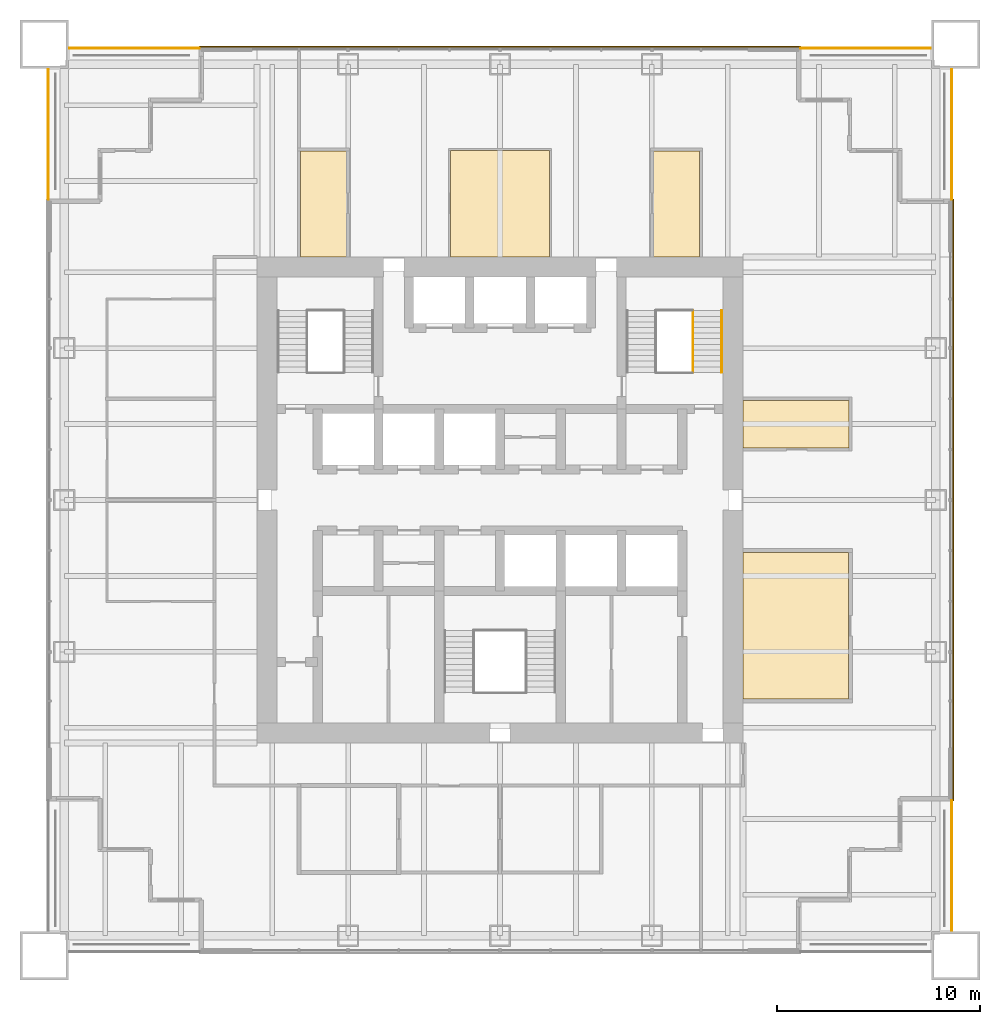
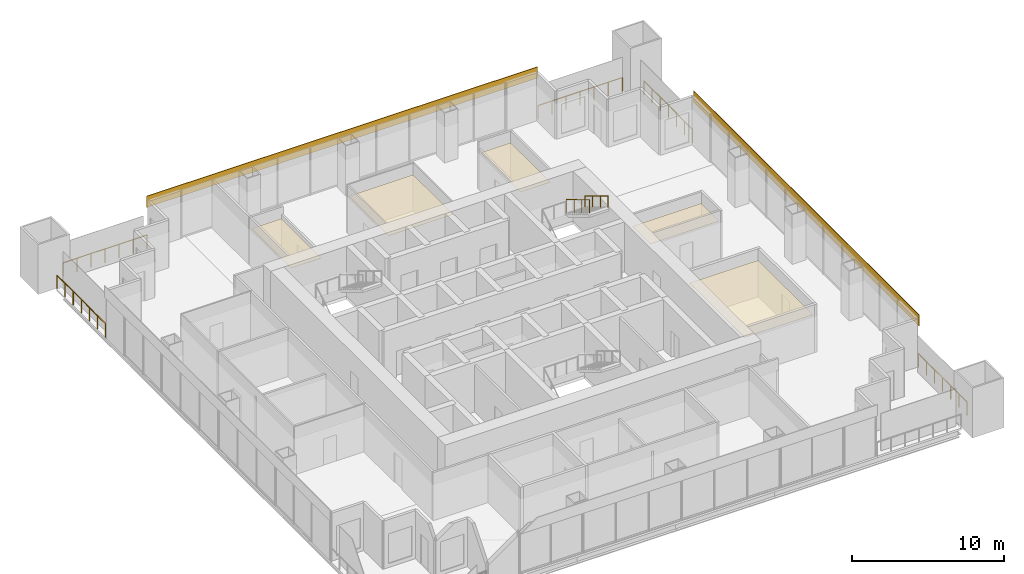
# One storey, part 13 of 13: 7 coverings, 7 railings.
"""IFC4 building model written with IfcOpenShell, lengths in metres."""

import ifcopenshell
import ifcopenshell.guid

model = None  # the IFC model being written
_history = None  # IfcOwnerHistory: only IFC2X3 demands one
_inside = {}  # id of a spatial element -> (the spatial element, [elements in it])
_under = {}  # id of a project, library or spatial element -> (it, [spatial elements below it])
_declared = {}  # id of a project -> (the project, [libraries it declares])
_typed = {}  # id of a type object -> (the type object, [elements of that type])
_made_of = {}  # id of a material, layer set ... -> (it, [elements and type objects made of it])


def new_model(schema):
    """Start an empty IFC model of exactly this schema.

    Asked for "IFC4X3", IfcOpenShell would pick the latest addendum, in which some entities
    have other attributes; the version numbers below select the first issue.
    IFC2X3 requires an IfcOwnerHistory on every rooted entity: one is made here for all.
    """
    global model, _history
    if schema == "IFC4X3":
        model = ifcopenshell.file(schema_version=(4, 3, 0, 0))
    else:
        model = ifcopenshell.file(schema=schema)
    _inside.clear()
    _under.clear()
    _declared.clear()
    _typed.clear()
    _made_of.clear()
    _history = None
    if model.schema == "IFC2X3":
        org = make("IfcOrganization", Name="unknown")
        user = make(
            "IfcPersonAndOrganization",
            ThePerson=make("IfcPerson", FamilyName="unknown"),
            TheOrganization=org,
        )
        app = make(
            "IfcApplication",
            ApplicationDeveloper=org,
            Version="unknown",
            ApplicationFullName="unknown",
            ApplicationIdentifier="unknown",
        )
        _history = make(
            "IfcOwnerHistory",
            OwningUser=user,
            OwningApplication=app,
            ChangeAction="ADDED",
            CreationDate=0,
        )
    return model


def make(cls, **values):
    """One entity of the class cls with the attributes given. An attribute that is None is left unset."""
    return model.create_entity(
        cls, **{name: value for name, value in values.items() if value is not None}
    )


def rooted(cls, **values):
    """An entity with a GlobalId (a new one), such as an element, a storey or a relation."""
    return make(cls, GlobalId=ifcopenshell.guid.new(), OwnerHistory=_history, **values)


def si_unit(unit_type, name, prefix=None):
    """IfcSIUnit, for example si_unit("LENGTHUNIT", "METRE", prefix="MILLI")."""
    return make("IfcSIUnit", UnitType=unit_type, Prefix=prefix, Name=name)


def assignment(units):
    """IfcUnitAssignment: the units of a project."""
    return None if units is None else make("IfcUnitAssignment", Units=units)


def point(xyz):
    """IfcCartesianPoint."""
    return None if xyz is None else make("IfcCartesianPoint", Coordinates=xyz)


def direction(xyz):
    """IfcDirection."""
    return None if xyz is None else make("IfcDirection", DirectionRatios=xyz)


def frame(location, z_axis=None, x_axis=None):
    """IfcAxis2Placement3D, a coordinate frame: its origin and axes. An axis left out is left unset."""
    return make(
        "IfcAxis2Placement3D",
        Location=point(location),
        Axis=direction(z_axis),
        RefDirection=direction(x_axis),
    )


def frame_2d(location, x_axis=None):
    """IfcAxis2Placement2D, a coordinate frame in the plane: its origin and x axis."""
    return make(
        "IfcAxis2Placement2D", Location=point(location), RefDirection=direction(x_axis)
    )


def origin():
    """The frame at (0, 0, 0) with its axes left unset."""
    return frame((0.0, 0.0, 0.0))


def origin_2d():
    """The frame at (0, 0) in the plane with its x axis left unset."""
    return frame_2d((0.0, 0.0))


def place(relative_to, where):
    """IfcLocalPlacement: puts the frame where relative to a parent placement (None: the world)."""
    return make(
        "IfcLocalPlacement", PlacementRelTo=relative_to, RelativePlacement=where
    )


def context(
    kind, dimensions, precision=None, world=None, true_north=None, identifier=None
):
    """IfcGeometricRepresentationContext, for example the 3D "Model" context."""
    return make(
        "IfcGeometricRepresentationContext",
        ContextIdentifier=identifier,
        ContextType=kind,
        CoordinateSpaceDimension=dimensions,
        Precision=precision,
        WorldCoordinateSystem=world,
        TrueNorth=true_north,
    )


def subcontext(parent, identifier, kind, view, scale=None):
    """IfcGeometricRepresentationSubContext, for example "Body" below "Model"."""
    return make(
        "IfcGeometricRepresentationSubContext",
        ContextIdentifier=identifier,
        ContextType=kind,
        ParentContext=parent,
        TargetScale=scale,
        TargetView=view,
    )


def project(units=None, contexts=None):
    """IfcProject with its units and contexts."""
    return rooted(
        "IfcProject",
        Name="project",
        RepresentationContexts=contexts,
        UnitsInContext=assignment(units),
    )


def spatial(cls, under=None, at=None, **own):
    """A site, building, storey or space (cls), placed at a placement, below another one or the project."""
    s = rooted(cls, ObjectPlacement=at, **own)
    if under is not None:
        _under.setdefault(under.id(), (under, []))[1].append(s)
    return s


def polyline(points):
    """IfcPolyline through the points."""
    return make("IfcPolyline", Points=[point(p) for p in points])


def profile(cls, at=None, kind="AREA", **sizes):
    """A parametric profile (cls). Its sizes go by their IFC names, for example OverallWidth=200.0."""
    return make(cls, ProfileType=kind, Position=at, **sizes)


def rectangle(**sizes):
    """IfcRectangleProfileDef."""
    return profile("IfcRectangleProfileDef", **sizes)


def circle(**sizes):
    """IfcCircleProfileDef."""
    return profile("IfcCircleProfileDef", **sizes)


def outline(outer, holes=None, kind="AREA"):
    """IfcArbitraryClosedProfileDef: a profile drawn as a closed curve; with holes, ...WithVoids."""
    if holes is None:
        return make("IfcArbitraryClosedProfileDef", ProfileType=kind, OuterCurve=outer)
    return make(
        "IfcArbitraryProfileDefWithVoids",
        ProfileType=kind,
        OuterCurve=outer,
        InnerCurves=holes,
    )


def extrude(swept, where, along, depth):
    """IfcExtrudedAreaSolid: the profile swept, set in the frame where, extruded along a direction by depth."""
    return make(
        "IfcExtrudedAreaSolid",
        SweptArea=swept,
        Position=where,
        ExtrudedDirection=direction(along),
        Depth=depth,
    )


def shape(context_of_items, identifier, shape_type, items):
    """IfcShapeRepresentation: the items that make up one representation, for example the "Body"."""
    return make(
        "IfcShapeRepresentation",
        ContextOfItems=context_of_items,
        RepresentationIdentifier=identifier,
        RepresentationType=shape_type,
        Items=items,
    )


def material(Name=None, Category=None):
    """IfcMaterial."""
    return make("IfcMaterial", Name=Name, Category=Category)


def layer(
    of_material, thickness, ventilated=None, Name=None, Category=None, Priority=None
):
    """IfcMaterialLayer: one layer of a wall or slab, of a material (None: an air gap)."""
    return make(
        "IfcMaterialLayer",
        Material=of_material,
        LayerThickness=thickness,
        IsVentilated=ventilated,
        Name=Name,
        Category=Category,
        Priority=Priority,
    )


def layer_set(layers, Name=None):
    """IfcMaterialLayerSet."""
    return make("IfcMaterialLayerSet", MaterialLayers=layers, LayerSetName=Name)


def made_of(thing, what):
    """Note that an element or type object is made of a material, layer set ...; save() writes the relation."""
    if what is not None:
        _made_of.setdefault(what.id(), (what, []))[1].append(thing)
    return thing


def type_object(cls, material=None, **own):
    """A type object (cls), such as IfcWallType, which elements share."""
    return made_of(rooted(cls, **own), material)


def element(
    cls,
    number,
    at=None,
    inside=None,
    cuts=None,
    type_object=None,
    material=None,
    context=None,
    identifier="Body",
    shape_type=None,
    held_by="IfcProductDefinitionShape",
    body=None,
    shapes=None,
    **own,
):
    """One element of the class cls, such as IfcWall. Its Tag is "e" and its number.

    at: its placement. inside: the storey or other place that contains it. cuts: it is an
    opening in that element (IfcRelVoidsElement). A single representation is given by context,
    identifier, shape_type and body (its items); several are given by shapes. held_by: the class
    of the entity that holds the representations. save() writes the other relations.
    """
    e = rooted(cls, Tag="e%d" % number, ObjectPlacement=at, **own)
    if body is not None:
        shapes = [shape(context, identifier, shape_type, body)]
    if shapes is not None:
        e.Representation = make(held_by, Representations=shapes)
    if inside is not None:
        _inside.setdefault(inside.id(), (inside, []))[1].append(e)
    if cuts is not None:
        rooted(
            "IfcRelVoidsElement", RelatingBuildingElement=cuts, RelatedOpeningElement=e
        )
    if type_object is not None:
        _typed.setdefault(type_object.id(), (type_object, []))[1].append(e)
    return made_of(e, material)


def aggregate(whole, parts):
    """IfcRelAggregates: a whole, such as a stair, and the parts it consists of."""
    return rooted("IfcRelAggregates", RelatingObject=whole, RelatedObjects=parts)


def save(model, path):
    """Write the relations noted so far, then the file.

    IfcRelAggregates (storeys below a building ...), IfcRelContainedInSpatialStructure (elements
    in a storey), IfcRelDefinesByType, IfcRelAssociatesMaterial and IfcRelDeclares: one each for
    every whole, place, type object, material and project.
    """
    for whole, parts in _under.values():
        aggregate(whole, parts)
    for where, things in _inside.values():
        rooted(
            "IfcRelContainedInSpatialStructure",
            RelatedElements=things,
            RelatingStructure=where,
        )
    for kind, things in _typed.values():
        rooted("IfcRelDefinesByType", RelatedObjects=things, RelatingType=kind)
    for what, things in _made_of.values():
        rooted("IfcRelAssociatesMaterial", RelatedObjects=things, RelatingMaterial=what)
    for by, libraries in _declared.values():
        rooted("IfcRelDeclares", RelatingContext=by, RelatedDefinitions=libraries)
    model.write(path)


model = new_model("IFC4")

# Units and contexts
model_context = context("Model", 3, precision=1e-05, world=origin(), true_north=direction((0.0, 1.0)))
body_context = subcontext(model_context, "Body", "Model", "MODEL_VIEW")
ifc_project = project(units=[si_unit("LENGTHUNIT", "METRE"), si_unit("AREAUNIT", "SQUARE_METRE"), si_unit("VOLUMEUNIT", "CUBIC_METRE"), si_unit("PLANEANGLEUNIT", "RADIAN"), si_unit("MASSUNIT", "GRAM", prefix="KILO")], contexts=[model_context])

# Site, building, storey
site_placement = place(None, origin())
site = spatial("IfcSite", under=ifc_project, at=site_placement, CompositionType="ELEMENT")
building_placement = place(site_placement, origin())
building = spatial("IfcBuilding", under=site, at=building_placement, Name="Tarangal Relay Tower", CompositionType="ELEMENT")
storey_placement = place(building_placement, frame((0.0, 0.0, 245.89990234375)))
storey = spatial("IfcBuildingStorey", under=building, at=storey_placement, Name="L53", CompositionType="ELEMENT", Elevation=245.89990234375)

# Coverings
ifc_material_1 = material(Name="Black anodised aluminium cladding", Category="aluminium")
ifc_layer_1 = layer(ifc_material_1, 0.050048828125)
ifc_layer_set_1 = layer_set([ifc_layer_1], Name="Black metal spandrel band")
covering_type_1 = type_object("IfcCoveringType", Name="Black metal spandrel band", PredefinedType="CLADDING", material=ifc_layer_set_1)
for number, where, z_axis, x_axis, name in (
    (1, (0.0, 22.375, 3.250244140625), (0.0, 0.0, 1.0), (1.0, 0.0, 0.0), "Spandrel band SB1 N L53"),
    (2, (22.375, 0.0, 3.250244140625), (0.0, 0.0, 1.0), (0.0, -1.0, 0.0), "Spandrel band SB1 E L53"),
):
    element("IfcCovering", number, at=place(storey_placement, frame(where, z_axis=z_axis, x_axis=x_axis)), inside=storey, type_object=covering_type_1, Name=name, PredefinedType="CLADDING", context=body_context, shape_type="SweptSolid", body=[
        extrude(rectangle(XDim=29.699951171875, YDim=0.050048828125, at=origin_2d()), origin(), (0.0, 0.0, 1.0), 0.89990234375),
    ])

# Railings
ifc_material_2 = material(Name="Steel guard, black finish", Category="steel")
railing_type_1 = type_object("IfcRailingType", Name="Stair guard 1100", PredefinedType="GUARDRAIL", material=ifc_material_2)
railing_1_placement = place(storey_placement, frame((9.530029296875, 9.346923828125, 2.166748046875)))
element("IfcRailing", 3, at=railing_1_placement, inside=storey, type_object=railing_type_1, Name="Stair ST-B guard GR1 L53 flight 2", PredefinedType="GUARDRAIL", context=body_context, shape_type="SweptSolid", body=[
    extrude(circle(Radius=0.02392578125, at=origin_2d()), frame((0.0, 0.0, 1.076171875), z_axis=(0.0, -0.85685617095, 0.515555527858), x_axis=(1.0, 0.0, 0.0)), (0.0, 0.0, 1.0), 3.555908203125),
    extrude(circle(Radius=0.02099609375, at=origin_2d()), origin(), (0.0, 0.0, 1.0), 1.052001953125),
    extrude(circle(Radius=0.02099609375, at=origin_2d()), frame((0.0, -1.015625, 0.611083984375)), (0.0, 0.0, 1.0), 1.052001953125),
    extrude(circle(Radius=0.02099609375, at=origin_2d()), frame((0.0, -2.03125, 1.22216796875)), (0.0, 0.0, 1.0), 1.052001953125),
    extrude(circle(Radius=0.02099609375, at=origin_2d()), frame((0.0, -3.046875, 1.833251953125)), (0.0, 0.0, 1.0), 1.052001953125),
])
ifc_material_3 = material(Name="Steel handrail, black finish", Category="steel")
railing_type_2 = type_object("IfcRailingType", Name="Stair handrail 900", PredefinedType="HANDRAIL", material=ifc_material_3)
railing_2_placement = place(storey_placement, frame((10.93994140625, 9.346923828125, 2.166748046875)))
element("IfcRailing", 4, at=railing_2_placement, inside=storey, type_object=railing_type_2, Name="Stair ST-B handrail HR1 L53 flight 2", PredefinedType="HANDRAIL", context=body_context, shape_type="SweptSolid", body=[
    extrude(circle(Radius=0.02392578125, at=origin_2d()), frame((0.0, 0.0, 0.8759765625), z_axis=(0.0, -0.85685617095, 0.515555527858), x_axis=(1.0, 0.0, 0.0)), (0.0, 0.0, 1.0), 3.555908203125),
    extrude(circle(Radius=0.02099609375, at=origin_2d()), origin(), (0.0, 0.0, 1.0), 0.851806640625),
    extrude(circle(Radius=0.02099609375, at=origin_2d()), frame((0.0, -1.015625, 0.611083984375)), (0.0, 0.0, 1.0), 0.851806640625),
    extrude(circle(Radius=0.02099609375, at=origin_2d()), frame((0.0, -2.03125, 1.22216796875)), (0.0, 0.0, 1.0), 0.851806640625),
    extrude(circle(Radius=0.02099609375, at=origin_2d()), frame((0.0, -3.046875, 1.833251953125)), (0.0, 0.0, 1.0), 0.851806640625),
])

# Coverings
ifc_material_4 = material(Name="Mineral fibre ceiling tiles", Category="gypsum")
ifc_layer_2 = layer(ifc_material_4, 0.02001953125)
ifc_layer_set_2 = layer_set([ifc_layer_2], Name="Suspended ceiling")
covering_type_2 = type_object("IfcCoveringType", Name="Suspended ceiling", PredefinedType="CEILING", material=ifc_layer_set_2)
covering_1_placement = place(storey_placement, frame((0.0, 0.0, 2.900146484375)))
element("IfcCovering", 5, at=covering_1_placement, inside=storey, type_object=covering_type_2, Name="Suspended ceiling CL1 L53-02", PredefinedType="CEILING", context=body_context, shape_type="SweptSolid", body=[
    extrude(outline(polyline([(-7.574951171875, 12.0), (-7.574951171875, 17.22509765625), (-9.842041015625, 17.22509765625), (-9.842041015625, 12.0), (-7.574951171875, 12.0)])), origin(), (0.0, 0.0, 1.0), 0.02001953125),
])
covering_2_placement = place(storey_placement, frame((0.0, 0.0, 2.900146484375)))
element("IfcCovering", 6, at=covering_2_placement, inside=storey, type_object=covering_type_2, Name="Suspended ceiling CL1 L53-03", PredefinedType="CEILING", context=body_context, shape_type="SweptSolid", body=[
    extrude(outline(polyline([(2.449951171875, 12.0), (2.449951171875, 17.25), (-2.449951171875, 17.25), (-2.449951171875, 12.0), (2.449951171875, 12.0)])), origin(), (0.0, 0.0, 1.0), 0.02001953125),
])
covering_3_placement = place(storey_placement, frame((0.0, 0.0, 2.900146484375)))
element("IfcCovering", 7, at=covering_3_placement, inside=storey, type_object=covering_type_2, Name="Suspended ceiling CL1 L53-04", PredefinedType="CEILING", context=body_context, shape_type="SweptSolid", body=[
    extrude(outline(polyline([(9.842041015625, 12.0), (9.842041015625, 17.22509765625), (7.574951171875, 17.22509765625), (7.574951171875, 12.0), (9.842041015625, 12.0)])), origin(), (0.0, 0.0, 1.0), 0.02001953125),
])
covering_4_placement = place(storey_placement, frame((0.0, 0.0, 2.900146484375)))
element("IfcCovering", 8, at=covering_4_placement, inside=storey, type_object=covering_type_2, Name="Suspended ceiling CL1 L53-05", PredefinedType="CEILING", context=body_context, shape_type="SweptSolid", body=[
    extrude(outline(polyline([(12.0, 2.574951171875), (17.22509765625, 2.574951171875), (17.22509765625, 4.925048828125), (12.0, 4.925048828125), (12.0, 2.574951171875)])), origin(), (0.0, 0.0, 1.0), 0.02001953125),
])
covering_5_placement = place(storey_placement, frame((0.0, 0.0, 2.900146484375)))
element("IfcCovering", 9, at=covering_5_placement, inside=storey, type_object=covering_type_2, Name="Suspended ceiling CL1 L53-06", PredefinedType="CEILING", context=body_context, shape_type="SweptSolid", body=[
    extrude(outline(polyline([(12.0, -9.81689453125), (17.199951171875, -9.81689453125), (17.199951171875, -2.60009765625), (12.0, -2.60009765625), (12.0, -9.81689453125)])), origin(), (0.0, 0.0, 1.0), 0.02001953125),
])

# Railings
ifc_material_5 = material(Name="Black steel guard with glass infill", Category="steel")
railing_type_3 = type_object("IfcRailingType", Name="Terrace guard 1100", PredefinedType="GUARDRAIL", material=ifc_material_5)
railing_3_placement = place(storey_placement, frame((14.85009765625, 22.300048828125, 0.0)))
element("IfcRailing", 10, at=railing_3_placement, inside=storey, type_object=railing_type_3, Name="Terrace guard GR2 NE L53", PredefinedType="GUARDRAIL", context=body_context, shape_type="SweptSolid", body=[
    extrude(circle(Radius=0.02392578125, at=origin_2d()), frame((0.0, 0.0, 1.076171875), z_axis=(1.0, 0.0, 0.0), x_axis=(0.0, 1.0, 0.0)), (0.0, 0.0, 1.0), 6.39990234375),
    extrude(circle(Radius=0.02099609375, at=origin_2d()), origin(), (0.0, 0.0, 1.0), 1.052001953125),
    extrude(circle(Radius=0.02099609375, at=origin_2d()), frame((1.066650390625, 0.0, 0.0)), (0.0, 0.0, 1.0), 1.052001953125),
    extrude(circle(Radius=0.02099609375, at=origin_2d()), frame((2.13330078125, 0.0, 0.0)), (0.0, 0.0, 1.0), 1.052001953125),
    extrude(circle(Radius=0.02099609375, at=origin_2d()), frame((3.199951171875, 0.0, 0.0)), (0.0, 0.0, 1.0), 1.052001953125),
    extrude(circle(Radius=0.02099609375, at=origin_2d()), frame((4.2666015625, 0.0, 0.0)), (0.0, 0.0, 1.0), 1.052001953125),
    extrude(circle(Radius=0.02099609375, at=origin_2d()), frame((5.333251953125, 0.0, 0.0)), (0.0, 0.0, 1.0), 1.052001953125),
    extrude(circle(Radius=0.02099609375, at=origin_2d()), frame((6.39990234375, 0.0, 0.0)), (0.0, 0.0, 1.0), 1.052001953125),
])
for number, where, name in (
    (11, (22.300048828125, 21.25, 0.0), "Terrace guard GR2 NE L53"),
    (12, (22.300048828125, -14.85009765625, 0.0), "Terrace guard GR2 SE L53"),
):
    element("IfcRailing", number, at=place(storey_placement, frame(where)), inside=storey, type_object=railing_type_3, Name=name, PredefinedType="GUARDRAIL", context=body_context, shape_type="SweptSolid", body=[
        extrude(circle(Radius=0.02392578125, at=origin_2d()), frame((0.0, 0.0, 1.076171875), z_axis=(0.0, -1.0, 0.0), x_axis=(1.0, 0.0, 0.0)), (0.0, 0.0, 1.0), 6.39990234375),
        extrude(circle(Radius=0.02099609375, at=origin_2d()), origin(), (0.0, 0.0, 1.0), 1.052001953125),
        extrude(circle(Radius=0.02099609375, at=origin_2d()), frame((0.0, -1.066650390625, 0.0)), (0.0, 0.0, 1.0), 1.052001953125),
        extrude(circle(Radius=0.02099609375, at=origin_2d()), frame((0.0, -2.13330078125, 0.0)), (0.0, 0.0, 1.0), 1.052001953125),
        extrude(circle(Radius=0.02099609375, at=origin_2d()), frame((0.0, -3.199951171875, 0.0)), (0.0, 0.0, 1.0), 1.052001953125),
        extrude(circle(Radius=0.02099609375, at=origin_2d()), frame((0.0, -4.2666015625, 0.0)), (0.0, 0.0, 1.0), 1.052001953125),
        extrude(circle(Radius=0.02099609375, at=origin_2d()), frame((0.0, -5.333251953125, 0.0)), (0.0, 0.0, 1.0), 1.052001953125),
        extrude(circle(Radius=0.02099609375, at=origin_2d()), frame((0.0, -6.39990234375, 0.0)), (0.0, 0.0, 1.0), 1.052001953125),
    ])
railing_4_placement = place(storey_placement, frame((-22.300048828125, 14.85009765625, 0.0)))
element("IfcRailing", 13, at=railing_4_placement, inside=storey, type_object=railing_type_3, Name="Terrace guard GR2 NW L53", PredefinedType="GUARDRAIL", context=body_context, shape_type="SweptSolid", body=[
    extrude(circle(Radius=0.02392578125, at=origin_2d()), frame((0.0, 0.0, 1.076171875), z_axis=(0.0, 1.0, 0.0), x_axis=(-1.0, 0.0, 0.0)), (0.0, 0.0, 1.0), 6.39990234375),
    extrude(circle(Radius=0.02099609375, at=origin_2d()), origin(), (0.0, 0.0, 1.0), 1.052001953125),
    extrude(circle(Radius=0.02099609375, at=origin_2d()), frame((0.0, 1.066650390625, 0.0)), (0.0, 0.0, 1.0), 1.052001953125),
    extrude(circle(Radius=0.02099609375, at=origin_2d()), frame((0.0, 2.13330078125, 0.0)), (0.0, 0.0, 1.0), 1.052001953125),
    extrude(circle(Radius=0.02099609375, at=origin_2d()), frame((0.0, 3.199951171875, 0.0)), (0.0, 0.0, 1.0), 1.052001953125),
    extrude(circle(Radius=0.02099609375, at=origin_2d()), frame((0.0, 4.2666015625, 0.0)), (0.0, 0.0, 1.0), 1.052001953125),
    extrude(circle(Radius=0.02099609375, at=origin_2d()), frame((0.0, 5.333251953125, 0.0)), (0.0, 0.0, 1.0), 1.052001953125),
    extrude(circle(Radius=0.02099609375, at=origin_2d()), frame((0.0, 6.39990234375, 0.0)), (0.0, 0.0, 1.0), 1.052001953125),
])
railing_5_placement = place(storey_placement, frame((-21.25, 22.300048828125, 0.0)))
element("IfcRailing", 14, at=railing_5_placement, inside=storey, type_object=railing_type_3, Name="Terrace guard GR2 NW L53", PredefinedType="GUARDRAIL", context=body_context, shape_type="SweptSolid", body=[
    extrude(circle(Radius=0.02392578125, at=origin_2d()), frame((0.0, 0.0, 1.076171875), z_axis=(1.0, 0.0, 0.0), x_axis=(0.0, 1.0, 0.0)), (0.0, 0.0, 1.0), 6.39990234375),
    extrude(circle(Radius=0.02099609375, at=origin_2d()), origin(), (0.0, 0.0, 1.0), 1.052001953125),
    extrude(circle(Radius=0.02099609375, at=origin_2d()), frame((1.066650390625, 0.0, 0.0)), (0.0, 0.0, 1.0), 1.052001953125),
    extrude(circle(Radius=0.02099609375, at=origin_2d()), frame((2.13330078125, 0.0, 0.0)), (0.0, 0.0, 1.0), 1.052001953125),
    extrude(circle(Radius=0.02099609375, at=origin_2d()), frame((3.199951171875, 0.0, 0.0)), (0.0, 0.0, 1.0), 1.052001953125),
    extrude(circle(Radius=0.02099609375, at=origin_2d()), frame((4.2666015625, 0.0, 0.0)), (0.0, 0.0, 1.0), 1.052001953125),
    extrude(circle(Radius=0.02099609375, at=origin_2d()), frame((5.333251953125, 0.0, 0.0)), (0.0, 0.0, 1.0), 1.052001953125),
    extrude(circle(Radius=0.02099609375, at=origin_2d()), frame((6.39990234375, 0.0, 0.0)), (0.0, 0.0, 1.0), 1.052001953125),
])

save(model, "model.ifc")
